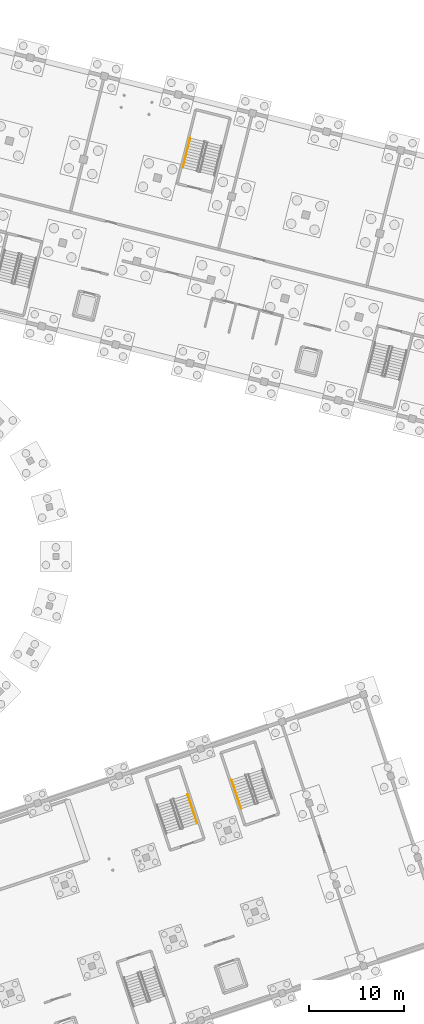
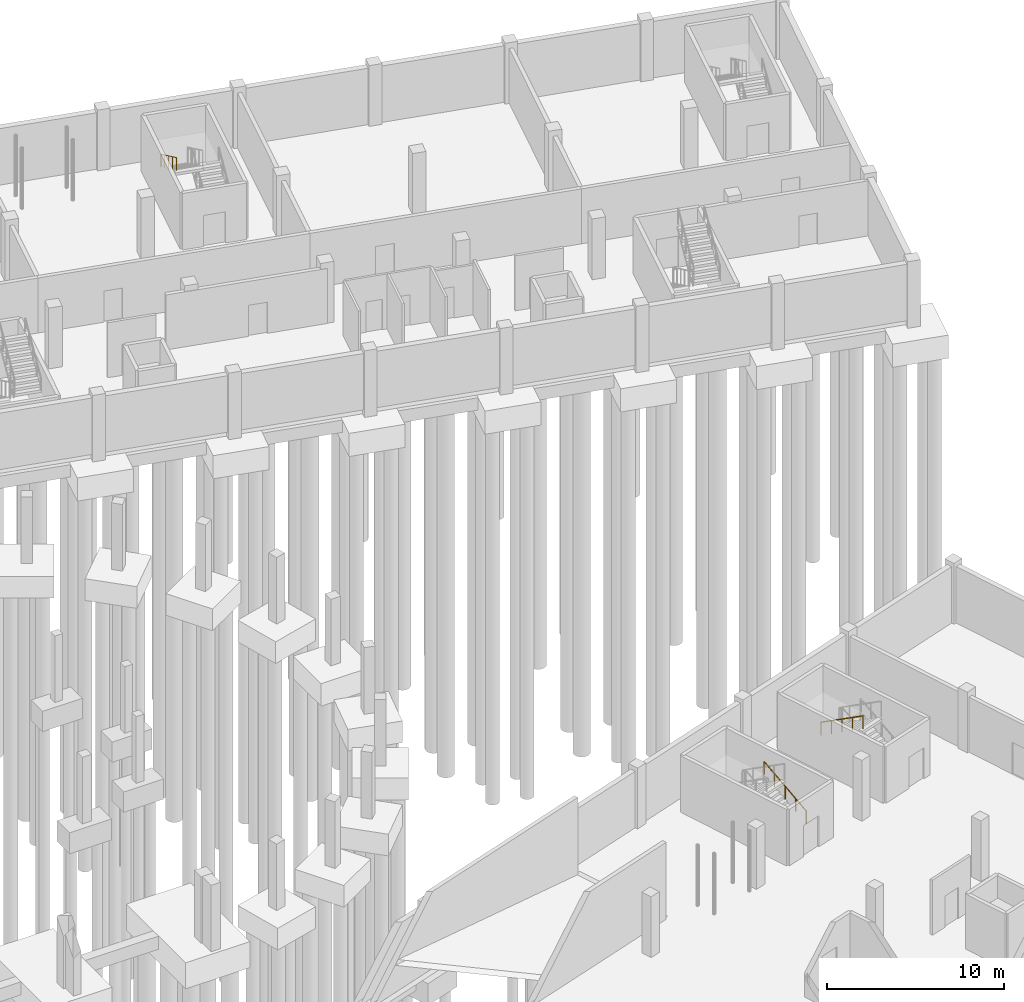
# One storey, part 32 of 36: 3 railings.
"""IFC4 building model written with IfcOpenShell, lengths in metres."""

import ifcopenshell
import ifcopenshell.guid

model = None  # the IFC model being written
_history = None  # IfcOwnerHistory: only IFC2X3 demands one
_inside = {}  # id of a spatial element -> (the spatial element, [elements in it])
_under = {}  # id of a project, library or spatial element -> (it, [spatial elements below it])
_declared = {}  # id of a project -> (the project, [libraries it declares])
_typed = {}  # id of a type object -> (the type object, [elements of that type])
_made_of = {}  # id of a material, layer set ... -> (it, [elements and type objects made of it])


def new_model(schema):
    """Start an empty IFC model of exactly this schema.

    Asked for "IFC4X3", IfcOpenShell would pick the latest addendum, in which some entities
    have other attributes; the version numbers below select the first issue.
    IFC2X3 requires an IfcOwnerHistory on every rooted entity: one is made here for all.
    """
    global model, _history
    if schema == "IFC4X3":
        model = ifcopenshell.file(schema_version=(4, 3, 0, 0))
    else:
        model = ifcopenshell.file(schema=schema)
    _inside.clear()
    _under.clear()
    _declared.clear()
    _typed.clear()
    _made_of.clear()
    _history = None
    if model.schema == "IFC2X3":
        org = make("IfcOrganization", Name="unknown")
        user = make(
            "IfcPersonAndOrganization",
            ThePerson=make("IfcPerson", FamilyName="unknown"),
            TheOrganization=org,
        )
        app = make(
            "IfcApplication",
            ApplicationDeveloper=org,
            Version="unknown",
            ApplicationFullName="unknown",
            ApplicationIdentifier="unknown",
        )
        _history = make(
            "IfcOwnerHistory",
            OwningUser=user,
            OwningApplication=app,
            ChangeAction="ADDED",
            CreationDate=0,
        )
    return model


def make(cls, **values):
    """One entity of the class cls with the attributes given. An attribute that is None is left unset."""
    return model.create_entity(
        cls, **{name: value for name, value in values.items() if value is not None}
    )


def rooted(cls, **values):
    """An entity with a GlobalId (a new one), such as an element, a storey or a relation."""
    return make(cls, GlobalId=ifcopenshell.guid.new(), OwnerHistory=_history, **values)


def si_unit(unit_type, name, prefix=None):
    """IfcSIUnit, for example si_unit("LENGTHUNIT", "METRE", prefix="MILLI")."""
    return make("IfcSIUnit", UnitType=unit_type, Prefix=prefix, Name=name)


def derived_unit(unit_type, elements):
    """IfcDerivedUnit: a product of units, each with its exponent."""
    return make(
        "IfcDerivedUnit",
        Elements=[
            make("IfcDerivedUnitElement", Unit=unit, Exponent=power)
            for unit, power in elements
        ],
        UnitType=unit_type,
    )


def assignment(units):
    """IfcUnitAssignment: the units of a project."""
    return None if units is None else make("IfcUnitAssignment", Units=units)


def point(xyz):
    """IfcCartesianPoint."""
    return None if xyz is None else make("IfcCartesianPoint", Coordinates=xyz)


def direction(xyz):
    """IfcDirection."""
    return None if xyz is None else make("IfcDirection", DirectionRatios=xyz)


def frame(location, z_axis=None, x_axis=None):
    """IfcAxis2Placement3D, a coordinate frame: its origin and axes. An axis left out is left unset."""
    return make(
        "IfcAxis2Placement3D",
        Location=point(location),
        Axis=direction(z_axis),
        RefDirection=direction(x_axis),
    )


def frame_2d(location, x_axis=None):
    """IfcAxis2Placement2D, a coordinate frame in the plane: its origin and x axis."""
    return make(
        "IfcAxis2Placement2D", Location=point(location), RefDirection=direction(x_axis)
    )


def origin():
    """The frame at (0, 0, 0) with its axes left unset."""
    return frame((0.0, 0.0, 0.0))


def origin_2d():
    """The frame at (0, 0) in the plane with its x axis left unset."""
    return frame_2d((0.0, 0.0))


def place(relative_to, where):
    """IfcLocalPlacement: puts the frame where relative to a parent placement (None: the world)."""
    return make(
        "IfcLocalPlacement", PlacementRelTo=relative_to, RelativePlacement=where
    )


def context(
    kind, dimensions, precision=None, world=None, true_north=None, identifier=None
):
    """IfcGeometricRepresentationContext, for example the 3D "Model" context."""
    return make(
        "IfcGeometricRepresentationContext",
        ContextIdentifier=identifier,
        ContextType=kind,
        CoordinateSpaceDimension=dimensions,
        Precision=precision,
        WorldCoordinateSystem=world,
        TrueNorth=true_north,
    )


def subcontext(parent, identifier, kind, view, scale=None):
    """IfcGeometricRepresentationSubContext, for example "Body" below "Model"."""
    return make(
        "IfcGeometricRepresentationSubContext",
        ContextIdentifier=identifier,
        ContextType=kind,
        ParentContext=parent,
        TargetScale=scale,
        TargetView=view,
    )


def project(units=None, contexts=None):
    """IfcProject with its units and contexts."""
    return rooted(
        "IfcProject",
        Name="project",
        RepresentationContexts=contexts,
        UnitsInContext=assignment(units),
    )


def spatial(cls, under=None, at=None, **own):
    """A site, building, storey or space (cls), placed at a placement, below another one or the project."""
    s = rooted(cls, ObjectPlacement=at, **own)
    if under is not None:
        _under.setdefault(under.id(), (under, []))[1].append(s)
    return s


def profile(cls, at=None, kind="AREA", **sizes):
    """A parametric profile (cls). Its sizes go by their IFC names, for example OverallWidth=200.0."""
    return make(cls, ProfileType=kind, Position=at, **sizes)


def circle(**sizes):
    """IfcCircleProfileDef."""
    return profile("IfcCircleProfileDef", **sizes)


def extrude(swept, where, along, depth):
    """IfcExtrudedAreaSolid: the profile swept, set in the frame where, extruded along a direction by depth."""
    return make(
        "IfcExtrudedAreaSolid",
        SweptArea=swept,
        Position=where,
        ExtrudedDirection=direction(along),
        Depth=depth,
    )


def shape(context_of_items, identifier, shape_type, items):
    """IfcShapeRepresentation: the items that make up one representation, for example the "Body"."""
    return make(
        "IfcShapeRepresentation",
        ContextOfItems=context_of_items,
        RepresentationIdentifier=identifier,
        RepresentationType=shape_type,
        Items=items,
    )


def material(Name=None, Category=None):
    """IfcMaterial."""
    return make("IfcMaterial", Name=Name, Category=Category)


def made_of(thing, what):
    """Note that an element or type object is made of a material, layer set ...; save() writes the relation."""
    if what is not None:
        _made_of.setdefault(what.id(), (what, []))[1].append(thing)
    return thing


def type_object(cls, material=None, **own):
    """A type object (cls), such as IfcWallType, which elements share."""
    return made_of(rooted(cls, **own), material)


def element(
    cls,
    number,
    at=None,
    inside=None,
    cuts=None,
    type_object=None,
    material=None,
    context=None,
    identifier="Body",
    shape_type=None,
    held_by="IfcProductDefinitionShape",
    body=None,
    shapes=None,
    **own,
):
    """One element of the class cls, such as IfcWall. Its Tag is "e" and its number.

    at: its placement. inside: the storey or other place that contains it. cuts: it is an
    opening in that element (IfcRelVoidsElement). A single representation is given by context,
    identifier, shape_type and body (its items); several are given by shapes. held_by: the class
    of the entity that holds the representations. save() writes the other relations.
    """
    e = rooted(cls, Tag="e%d" % number, ObjectPlacement=at, **own)
    if body is not None:
        shapes = [shape(context, identifier, shape_type, body)]
    if shapes is not None:
        e.Representation = make(held_by, Representations=shapes)
    if inside is not None:
        _inside.setdefault(inside.id(), (inside, []))[1].append(e)
    if cuts is not None:
        rooted(
            "IfcRelVoidsElement", RelatingBuildingElement=cuts, RelatedOpeningElement=e
        )
    if type_object is not None:
        _typed.setdefault(type_object.id(), (type_object, []))[1].append(e)
    return made_of(e, material)


def aggregate(whole, parts):
    """IfcRelAggregates: a whole, such as a stair, and the parts it consists of."""
    return rooted("IfcRelAggregates", RelatingObject=whole, RelatedObjects=parts)


def save(model, path):
    """Write the relations noted so far, then the file.

    IfcRelAggregates (storeys below a building ...), IfcRelContainedInSpatialStructure (elements
    in a storey), IfcRelDefinesByType, IfcRelAssociatesMaterial and IfcRelDeclares: one each for
    every whole, place, type object, material and project.
    """
    for whole, parts in _under.values():
        aggregate(whole, parts)
    for where, things in _inside.values():
        rooted(
            "IfcRelContainedInSpatialStructure",
            RelatedElements=things,
            RelatingStructure=where,
        )
    for kind, things in _typed.values():
        rooted("IfcRelDefinesByType", RelatedObjects=things, RelatingType=kind)
    for what, things in _made_of.values():
        rooted("IfcRelAssociatesMaterial", RelatedObjects=things, RelatingMaterial=what)
    for by, libraries in _declared.values():
        rooted("IfcRelDeclares", RelatingContext=by, RelatedDefinitions=libraries)
    model.write(path)


model = new_model("IFC4")

# Units and contexts
model_context = context("Model", 3, precision=1e-05, world=origin(), true_north=direction((0.0, 1.0)))
body_context = subcontext(model_context, "Body", "Model", "MODEL_VIEW")
ifc_project = project(units=[si_unit("LENGTHUNIT", "METRE"), si_unit("AREAUNIT", "SQUARE_METRE"), si_unit("VOLUMEUNIT", "CUBIC_METRE"), si_unit("PLANEANGLEUNIT", "RADIAN"), si_unit("MASSUNIT", "GRAM", prefix="KILO"), si_unit("THERMODYNAMICTEMPERATUREUNIT", "KELVIN"), si_unit("TIMEUNIT", "SECOND"), derived_unit("THERMALTRANSMITTANCEUNIT", [(si_unit("MASSUNIT", "GRAM", prefix="KILO"), 1), (si_unit("THERMODYNAMICTEMPERATUREUNIT", "KELVIN"), -1), (si_unit("TIMEUNIT", "SECOND"), -3)])], contexts=[model_context])

# Site, building, storey
site_placement = place(None, origin())
site = spatial("IfcSite", under=ifc_project, at=site_placement, CompositionType="ELEMENT")
building_placement = place(site_placement, origin())
building = spatial("IfcBuilding", under=site, at=building_placement, Name="Cambertide Market Hall", CompositionType="ELEMENT")
storey_placement = place(building_placement, frame((0.0, 0.0, -4.199951171875)))
storey = spatial("IfcBuildingStorey", under=building, at=storey_placement, Name="B1", CompositionType="ELEMENT", Elevation=-4.199951171875)

# Railings
ifc_material = material(Name="Stainless Steel Grade 316", Category="metal")
railing_type = type_object("IfcRailingType", Name="Stair Wall Handrail 900", PredefinedType="HANDRAIL", material=ifc_material)
railing_1_placement = place(storey_placement, frame((143.397216796875, 48.593994140625, 2.27490234375)))
element("IfcRailing", 1, at=railing_1_placement, inside=storey, type_object=railing_type, Name="Basement 1 ST-05B stair handrail 2", PredefinedType="HANDRAIL", context=body_context, shape_type="SweptSolid", body=[
    extrude(circle(Radius=0.02392578125, at=origin_2d()), frame((0.0, 0.0, 0.8759765625), z_axis=(0.270689365899, -0.812264676757, 0.516675296566), x_axis=(0.948706255527, 0.316158885252, 0.0)), (0.0, 0.0, 1.0), 3.725830078125),
    extrude(circle(Radius=0.02099609375, at=origin_2d()), origin(), (0.0, 0.0, 1.0), 0.851806640625),
    extrude(circle(Radius=0.02099609375, at=origin_2d()), frame((0.252197265625, -0.756591796875, 0.481201171875)), (0.0, 0.0, 1.0), 0.851806640625),
    extrude(circle(Radius=0.02099609375, at=origin_2d()), frame((0.50439453125, -1.51318359375, 0.96240234375)), (0.0, 0.0, 1.0), 0.851806640625),
    extrude(circle(Radius=0.02099609375, at=origin_2d()), frame((0.75634765625, -2.269775390625, 1.44384765625)), (0.0, 0.0, 1.0), 0.851806640625),
    extrude(circle(Radius=0.02099609375, at=origin_2d()), frame((1.008544921875, -3.0263671875, 1.925048828125)), (0.0, 0.0, 1.0), 0.851806640625),
])
railing_2_placement = place(storey_placement, frame((139.8046875, 44.033935546875, 0.175048828125)))
element("IfcRailing", 2, at=railing_2_placement, inside=storey, type_object=railing_type, Name="Basement 1 ST-06B stair handrail 1", PredefinedType="HANDRAIL", context=body_context, shape_type="SweptSolid", body=[
    extrude(circle(Radius=0.02392578125, at=origin_2d()), frame((0.0, 0.0, 0.8759765625), z_axis=(-0.2707736675, 0.812255471603, 0.516645594039), x_axis=(-0.948675644076, -0.316250727013, 0.0)), (0.0, 0.0, 1.0), 3.7255859375),
    extrude(circle(Radius=0.02099609375, at=origin_2d()), origin(), (0.0, 0.0, 1.0), 0.851806640625),
    extrude(circle(Radius=0.02099609375, at=origin_2d()), frame((-0.252197265625, 0.756591796875, 0.481201171875)), (0.0, 0.0, 1.0), 0.851806640625),
    extrude(circle(Radius=0.02099609375, at=origin_2d()), frame((-0.50439453125, 1.51318359375, 0.96240234375)), (0.0, 0.0, 1.0), 0.851806640625),
    extrude(circle(Radius=0.02099609375, at=origin_2d()), frame((-0.756591796875, 2.26953125, 1.443603515625)), (0.0, 0.0, 1.0), 0.851806640625),
    extrude(circle(Radius=0.02099609375, at=origin_2d()), frame((-1.0087890625, 3.026123046875, 1.9248046875)), (0.0, 0.0, 1.0), 0.851806640625),
])
railing_3_placement = place(storey_placement, frame((139.06640625, 115.827880859375, 2.27490234375)))
element("IfcRailing", 3, at=railing_3_placement, inside=storey, type_object=railing_type, Name="Basement 1 ST-07B stair handrail 2", PredefinedType="HANDRAIL", context=body_context, shape_type="SweptSolid", body=[
    extrude(circle(Radius=0.02392578125, at=origin_2d()), frame((0.0, 0.0, 0.8759765625), z_axis=(-0.207654101688, -0.830616406754, 0.516678003097), x_axis=(0.970142500145, -0.242535625036, 0.0)), (0.0, 0.0, 1.0), 3.725830078125),
    extrude(circle(Radius=0.02099609375, at=origin_2d()), origin(), (0.0, 0.0, 1.0), 0.851806640625),
    extrude(circle(Radius=0.02099609375, at=origin_2d()), frame((-0.193359375, -0.773681640625, 0.481201171875)), (0.0, 0.0, 1.0), 0.851806640625),
    extrude(circle(Radius=0.02099609375, at=origin_2d()), frame((-0.38671875, -1.54736328125, 0.96240234375)), (0.0, 0.0, 1.0), 0.851806640625),
    extrude(circle(Radius=0.02099609375, at=origin_2d()), frame((-0.580322265625, -2.321044921875, 1.44384765625)), (0.0, 0.0, 1.0), 0.851806640625),
    extrude(circle(Radius=0.02099609375, at=origin_2d()), frame((-0.773681640625, -3.0947265625, 1.925048828125)), (0.0, 0.0, 1.0), 0.851806640625),
])

save(model, "model.ifc")
